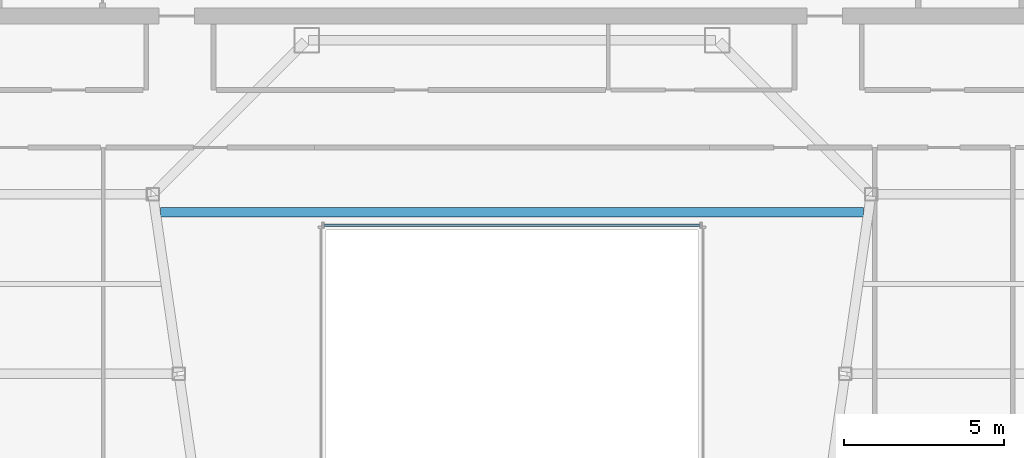
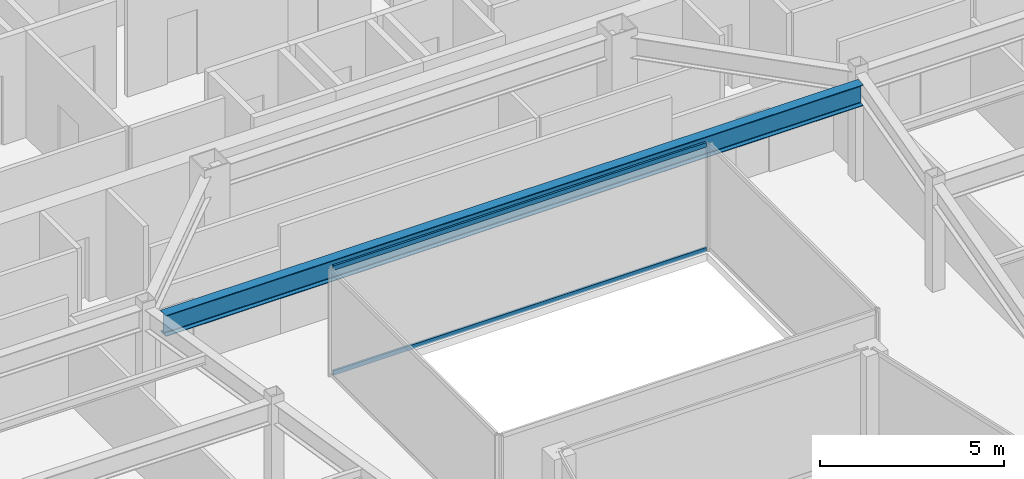
# One storey, part 14 of 36: 2 members, 1 beam, 1 element without a shape of its own.
"""IFC4 building model written with IfcOpenShell, lengths in metres."""

import ifcopenshell
import ifcopenshell.guid

model = None  # the IFC model being written
_history = None  # IfcOwnerHistory: only IFC2X3 demands one
_inside = {}  # id of a spatial element -> (the spatial element, [elements in it])
_under = {}  # id of a project, library or spatial element -> (it, [spatial elements below it])
_declared = {}  # id of a project -> (the project, [libraries it declares])
_typed = {}  # id of a type object -> (the type object, [elements of that type])
_made_of = {}  # id of a material, layer set ... -> (it, [elements and type objects made of it])


def new_model(schema):
    """Start an empty IFC model of exactly this schema.

    Asked for "IFC4X3", IfcOpenShell would pick the latest addendum, in which some entities
    have other attributes; the version numbers below select the first issue.
    IFC2X3 requires an IfcOwnerHistory on every rooted entity: one is made here for all.
    """
    global model, _history
    if schema == "IFC4X3":
        model = ifcopenshell.file(schema_version=(4, 3, 0, 0))
    else:
        model = ifcopenshell.file(schema=schema)
    _inside.clear()
    _under.clear()
    _declared.clear()
    _typed.clear()
    _made_of.clear()
    _history = None
    if model.schema == "IFC2X3":
        org = make("IfcOrganization", Name="unknown")
        user = make(
            "IfcPersonAndOrganization",
            ThePerson=make("IfcPerson", FamilyName="unknown"),
            TheOrganization=org,
        )
        app = make(
            "IfcApplication",
            ApplicationDeveloper=org,
            Version="unknown",
            ApplicationFullName="unknown",
            ApplicationIdentifier="unknown",
        )
        _history = make(
            "IfcOwnerHistory",
            OwningUser=user,
            OwningApplication=app,
            ChangeAction="ADDED",
            CreationDate=0,
        )
    return model


def make(cls, **values):
    """One entity of the class cls with the attributes given. An attribute that is None is left unset."""
    return model.create_entity(
        cls, **{name: value for name, value in values.items() if value is not None}
    )


def rooted(cls, **values):
    """An entity with a GlobalId (a new one), such as an element, a storey or a relation."""
    return make(cls, GlobalId=ifcopenshell.guid.new(), OwnerHistory=_history, **values)


def si_unit(unit_type, name, prefix=None):
    """IfcSIUnit, for example si_unit("LENGTHUNIT", "METRE", prefix="MILLI")."""
    return make("IfcSIUnit", UnitType=unit_type, Prefix=prefix, Name=name)


def assignment(units):
    """IfcUnitAssignment: the units of a project."""
    return None if units is None else make("IfcUnitAssignment", Units=units)


def point(xyz):
    """IfcCartesianPoint."""
    return None if xyz is None else make("IfcCartesianPoint", Coordinates=xyz)


def direction(xyz):
    """IfcDirection."""
    return None if xyz is None else make("IfcDirection", DirectionRatios=xyz)


def frame(location, z_axis=None, x_axis=None):
    """IfcAxis2Placement3D, a coordinate frame: its origin and axes. An axis left out is left unset."""
    return make(
        "IfcAxis2Placement3D",
        Location=point(location),
        Axis=direction(z_axis),
        RefDirection=direction(x_axis),
    )


def frame_2d(location, x_axis=None):
    """IfcAxis2Placement2D, a coordinate frame in the plane: its origin and x axis."""
    return make(
        "IfcAxis2Placement2D", Location=point(location), RefDirection=direction(x_axis)
    )


def origin():
    """The frame at (0, 0, 0) with its axes left unset."""
    return frame((0.0, 0.0, 0.0))


def origin_2d():
    """The frame at (0, 0) in the plane with its x axis left unset."""
    return frame_2d((0.0, 0.0))


def place(relative_to, where):
    """IfcLocalPlacement: puts the frame where relative to a parent placement (None: the world)."""
    return make(
        "IfcLocalPlacement", PlacementRelTo=relative_to, RelativePlacement=where
    )


def context(
    kind, dimensions, precision=None, world=None, true_north=None, identifier=None
):
    """IfcGeometricRepresentationContext, for example the 3D "Model" context."""
    return make(
        "IfcGeometricRepresentationContext",
        ContextIdentifier=identifier,
        ContextType=kind,
        CoordinateSpaceDimension=dimensions,
        Precision=precision,
        WorldCoordinateSystem=world,
        TrueNorth=true_north,
    )


def subcontext(parent, identifier, kind, view, scale=None):
    """IfcGeometricRepresentationSubContext, for example "Body" below "Model"."""
    return make(
        "IfcGeometricRepresentationSubContext",
        ContextIdentifier=identifier,
        ContextType=kind,
        ParentContext=parent,
        TargetScale=scale,
        TargetView=view,
    )


def project(units=None, contexts=None):
    """IfcProject with its units and contexts."""
    return rooted(
        "IfcProject",
        Name="project",
        RepresentationContexts=contexts,
        UnitsInContext=assignment(units),
    )


def spatial(cls, under=None, at=None, **own):
    """A site, building, storey or space (cls), placed at a placement, below another one or the project."""
    s = rooted(cls, ObjectPlacement=at, **own)
    if under is not None:
        _under.setdefault(under.id(), (under, []))[1].append(s)
    return s


def profile(cls, at=None, kind="AREA", **sizes):
    """A parametric profile (cls). Its sizes go by their IFC names, for example OverallWidth=200.0."""
    return make(cls, ProfileType=kind, Position=at, **sizes)


def hollow_rectangle(**sizes):
    """IfcRectangleHollowProfileDef."""
    return profile("IfcRectangleHollowProfileDef", **sizes)


def i_section(**sizes):
    """IfcIShapeProfileDef."""
    return profile("IfcIShapeProfileDef", **sizes)


def extrude(swept, where, along, depth):
    """IfcExtrudedAreaSolid: the profile swept, set in the frame where, extruded along a direction by depth."""
    return make(
        "IfcExtrudedAreaSolid",
        SweptArea=swept,
        Position=where,
        ExtrudedDirection=direction(along),
        Depth=depth,
    )


def shape(context_of_items, identifier, shape_type, items):
    """IfcShapeRepresentation: the items that make up one representation, for example the "Body"."""
    return make(
        "IfcShapeRepresentation",
        ContextOfItems=context_of_items,
        RepresentationIdentifier=identifier,
        RepresentationType=shape_type,
        Items=items,
    )


def material(Name=None, Category=None):
    """IfcMaterial."""
    return make("IfcMaterial", Name=Name, Category=Category)


def material_profile(
    of_material, cross_section, Name=None, Category=None, Priority=None
):
    """IfcMaterialProfile: a cross section and its material."""
    return make(
        "IfcMaterialProfile",
        Name=Name,
        Material=of_material,
        Profile=cross_section,
        Priority=Priority,
        Category=Category,
    )


def profile_set(profiles, Name=None, composite=None):
    """IfcMaterialProfileSet."""
    return make(
        "IfcMaterialProfileSet",
        Name=Name,
        MaterialProfiles=profiles,
        CompositeProfile=composite,
    )


def made_of(thing, what):
    """Note that an element or type object is made of a material, layer set ...; save() writes the relation."""
    if what is not None:
        _made_of.setdefault(what.id(), (what, []))[1].append(thing)
    return thing


def type_object(cls, material=None, **own):
    """A type object (cls), such as IfcWallType, which elements share."""
    return made_of(rooted(cls, **own), material)


def element(
    cls,
    number,
    at=None,
    inside=None,
    cuts=None,
    type_object=None,
    material=None,
    context=None,
    identifier="Body",
    shape_type=None,
    held_by="IfcProductDefinitionShape",
    body=None,
    shapes=None,
    **own,
):
    """One element of the class cls, such as IfcWall. Its Tag is "e" and its number.

    at: its placement. inside: the storey or other place that contains it. cuts: it is an
    opening in that element (IfcRelVoidsElement). A single representation is given by context,
    identifier, shape_type and body (its items); several are given by shapes. held_by: the class
    of the entity that holds the representations. save() writes the other relations.
    """
    e = rooted(cls, Tag="e%d" % number, ObjectPlacement=at, **own)
    if body is not None:
        shapes = [shape(context, identifier, shape_type, body)]
    if shapes is not None:
        e.Representation = make(held_by, Representations=shapes)
    if inside is not None:
        _inside.setdefault(inside.id(), (inside, []))[1].append(e)
    if cuts is not None:
        rooted(
            "IfcRelVoidsElement", RelatingBuildingElement=cuts, RelatedOpeningElement=e
        )
    if type_object is not None:
        _typed.setdefault(type_object.id(), (type_object, []))[1].append(e)
    return made_of(e, material)


def aggregate(whole, parts):
    """IfcRelAggregates: a whole, such as a stair, and the parts it consists of."""
    return rooted("IfcRelAggregates", RelatingObject=whole, RelatedObjects=parts)


def save(model, path):
    """Write the relations noted so far, then the file.

    IfcRelAggregates (storeys below a building ...), IfcRelContainedInSpatialStructure (elements
    in a storey), IfcRelDefinesByType, IfcRelAssociatesMaterial and IfcRelDeclares: one each for
    every whole, place, type object, material and project.
    """
    for whole, parts in _under.values():
        aggregate(whole, parts)
    for where, things in _inside.values():
        rooted(
            "IfcRelContainedInSpatialStructure",
            RelatedElements=things,
            RelatingStructure=where,
        )
    for kind, things in _typed.values():
        rooted("IfcRelDefinesByType", RelatedObjects=things, RelatingType=kind)
    for what, things in _made_of.values():
        rooted("IfcRelAssociatesMaterial", RelatedObjects=things, RelatingMaterial=what)
    for by, libraries in _declared.values():
        rooted("IfcRelDeclares", RelatingContext=by, RelatedDefinitions=libraries)
    model.write(path)


model = new_model("IFC4")

# Units and contexts
model_context = context("Model", 3, precision=1e-05, world=origin(), true_north=direction((0.0, 1.0)))
body_context = subcontext(model_context, "Body", "Model", "MODEL_VIEW")
ifc_project = project(units=[si_unit("LENGTHUNIT", "METRE"), si_unit("AREAUNIT", "SQUARE_METRE"), si_unit("VOLUMEUNIT", "CUBIC_METRE"), si_unit("PLANEANGLEUNIT", "RADIAN"), si_unit("MASSUNIT", "GRAM", prefix="KILO")], contexts=[model_context])

# Site, building, storey
site_placement = place(None, origin())
site = spatial("IfcSite", under=ifc_project, at=site_placement, CompositionType="ELEMENT")
building_placement = place(site_placement, origin())
building = spatial("IfcBuilding", under=site, at=building_placement, Name="Saevonmaru Cultural Tower", CompositionType="ELEMENT")
storey_placement = place(building_placement, frame((0.0, 0.0, 209.39990234375)))
storey = spatial("IfcBuildingStorey", under=building, at=storey_placement, Name="L48", CompositionType="ELEMENT", Elevation=209.39990234375)

# Beam
ifc_material_1 = material(Name="Steel SM355", Category="steel")
ifc_material_profile_1 = material_profile(ifc_material_1, i_section(OverallWidth=0.300048828125, OverallDepth=0.699951171875, WebThickness=0.012939453125, FlangeThickness=0.02392578125, FilletRadius=0.02587890625, at=origin_2d()), Name="H-700x300x13x24")
ifc_profile_set_1 = profile_set([ifc_material_profile_1], Name="Steel SM355")
beam_type = type_object("IfcBeamType", Name="BM-G-H700", PredefinedType="BEAM", material=ifc_profile_set_1)
beam_placement = place(storey_placement, frame((19.046875, 37.0400390625, 3.2001953125), z_axis=(1.0, 0.0, 0.0), x_axis=(0.0, 1.0, 0.0)))
element("IfcBeam", 1, at=beam_placement, inside=storey, type_object=beam_type, Name="L48 Central Link Girder", PredefinedType="BEAM", context=body_context, shape_type="SweptSolid", body=[
    extrude(i_section(OverallWidth=0.300048828125, OverallDepth=0.699951171875, WebThickness=0.012939453125, FlangeThickness=0.02392578125, FilletRadius=0.02587890625, at=origin_2d()), origin(), (0.0, 0.0, 1.0), 21.90625),
])

# Curtain wall, members
ifc_material_2 = material(Name="Satin Bronze Anodised Aluminium", Category="aluminium")
curtain_wall_type = type_object("IfcCurtainWallType", Name="CW-ATR-GLZ", PredefinedType="NOTDEFINED", material=ifc_material_2)
curtain_wall_placement = place(storey_placement, origin())
curtain_wall = element("IfcCurtainWall", 2, at=curtain_wall_placement, inside=storey, type_object=curtain_wall_type, Name="L48 Vertical Atrium Glazed Smoke Screen 3", PredefinedType="NOTDEFINED")
ifc_material_profile_2 = material_profile(ifc_material_2, hollow_rectangle(XDim=0.06494140625, YDim=0.14990234375, WallThickness=0.00390625, at=origin_2d()), Name="ALU-TRAN-150x65x4")
ifc_profile_set_2 = profile_set([ifc_material_profile_2], Name="Satin Bronze Anodised Aluminium")
member_type = type_object("IfcMemberType", Name="TR-CW-INT-150x65", PredefinedType="USERDEFINED", material=ifc_profile_set_2)
member_1_placement = place(storey_placement, frame((35.857421875, 36.6298828125, 0.03271484375), z_axis=(-1.0, 0.0, 0.0), x_axis=(0.0, -1.0, 0.0)))
member_1 = element("IfcMember", 3, at=member_1_placement, type_object=member_type, Name="CW-ATR-L48-3 transom 1.1", ObjectType="TRANSOM", PredefinedType="USERDEFINED", context=body_context, shape_type="SweptSolid", body=[
    extrude(hollow_rectangle(XDim=0.06494140625, YDim=0.14990234375, WallThickness=0.00390625, at=origin_2d()), origin(), (0.0, 0.0, 1.0), 11.71484375),
])
member_2_placement = place(storey_placement, frame((35.857421875, 36.6298828125, 3.517578125), z_axis=(-1.0, 0.0, 0.0), x_axis=(0.0, -1.0, 0.0)))
member_2 = element("IfcMember", 4, at=member_2_placement, type_object=member_type, Name="CW-ATR-L48-3 transom 1.2", ObjectType="TRANSOM", PredefinedType="USERDEFINED", context=body_context, shape_type="SweptSolid", body=[
    extrude(hollow_rectangle(XDim=0.06494140625, YDim=0.14990234375, WallThickness=0.00390625, at=origin_2d()), origin(), (0.0, 0.0, 1.0), 11.71484375),
])
aggregate(curtain_wall, [member_1, member_2])

save(model, "model.ifc")
